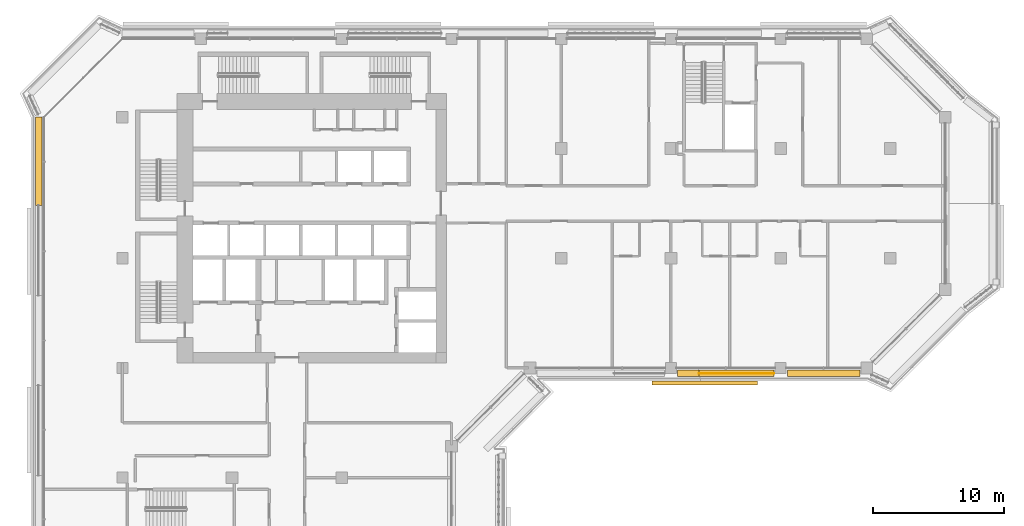
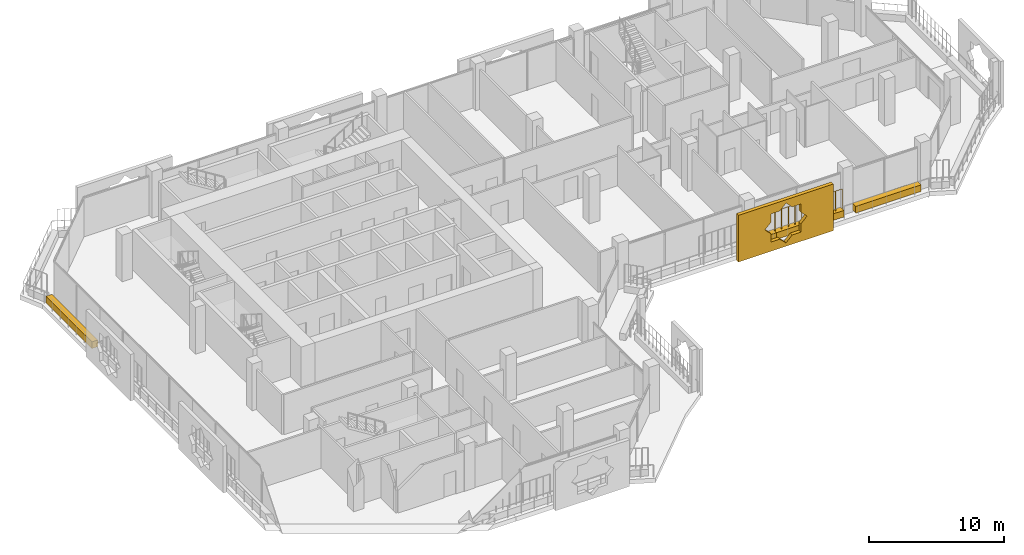
# One storey, part 19 of 22: 5 coverings, 1 railing.
"""IFC4 building model written with IfcOpenShell, lengths in metres."""

import ifcopenshell
import ifcopenshell.guid

model = None  # the IFC model being written
_history = None  # IfcOwnerHistory: only IFC2X3 demands one
_inside = {}  # id of a spatial element -> (the spatial element, [elements in it])
_under = {}  # id of a project, library or spatial element -> (it, [spatial elements below it])
_declared = {}  # id of a project -> (the project, [libraries it declares])
_typed = {}  # id of a type object -> (the type object, [elements of that type])
_made_of = {}  # id of a material, layer set ... -> (it, [elements and type objects made of it])


def new_model(schema):
    """Start an empty IFC model of exactly this schema.

    Asked for "IFC4X3", IfcOpenShell would pick the latest addendum, in which some entities
    have other attributes; the version numbers below select the first issue.
    IFC2X3 requires an IfcOwnerHistory on every rooted entity: one is made here for all.
    """
    global model, _history
    if schema == "IFC4X3":
        model = ifcopenshell.file(schema_version=(4, 3, 0, 0))
    else:
        model = ifcopenshell.file(schema=schema)
    _inside.clear()
    _under.clear()
    _declared.clear()
    _typed.clear()
    _made_of.clear()
    _history = None
    if model.schema == "IFC2X3":
        org = make("IfcOrganization", Name="unknown")
        user = make(
            "IfcPersonAndOrganization",
            ThePerson=make("IfcPerson", FamilyName="unknown"),
            TheOrganization=org,
        )
        app = make(
            "IfcApplication",
            ApplicationDeveloper=org,
            Version="unknown",
            ApplicationFullName="unknown",
            ApplicationIdentifier="unknown",
        )
        _history = make(
            "IfcOwnerHistory",
            OwningUser=user,
            OwningApplication=app,
            ChangeAction="ADDED",
            CreationDate=0,
        )
    return model


def make(cls, **values):
    """One entity of the class cls with the attributes given. An attribute that is None is left unset."""
    return model.create_entity(
        cls, **{name: value for name, value in values.items() if value is not None}
    )


def rooted(cls, **values):
    """An entity with a GlobalId (a new one), such as an element, a storey or a relation."""
    return make(cls, GlobalId=ifcopenshell.guid.new(), OwnerHistory=_history, **values)


def si_unit(unit_type, name, prefix=None):
    """IfcSIUnit, for example si_unit("LENGTHUNIT", "METRE", prefix="MILLI")."""
    return make("IfcSIUnit", UnitType=unit_type, Prefix=prefix, Name=name)


def assignment(units):
    """IfcUnitAssignment: the units of a project."""
    return None if units is None else make("IfcUnitAssignment", Units=units)


def point(xyz):
    """IfcCartesianPoint."""
    return None if xyz is None else make("IfcCartesianPoint", Coordinates=xyz)


def direction(xyz):
    """IfcDirection."""
    return None if xyz is None else make("IfcDirection", DirectionRatios=xyz)


def frame(location, z_axis=None, x_axis=None):
    """IfcAxis2Placement3D, a coordinate frame: its origin and axes. An axis left out is left unset."""
    return make(
        "IfcAxis2Placement3D",
        Location=point(location),
        Axis=direction(z_axis),
        RefDirection=direction(x_axis),
    )


def frame_2d(location, x_axis=None):
    """IfcAxis2Placement2D, a coordinate frame in the plane: its origin and x axis."""
    return make(
        "IfcAxis2Placement2D", Location=point(location), RefDirection=direction(x_axis)
    )


def origin():
    """The frame at (0, 0, 0) with its axes left unset."""
    return frame((0.0, 0.0, 0.0))


def origin_2d():
    """The frame at (0, 0) in the plane with its x axis left unset."""
    return frame_2d((0.0, 0.0))


def place(relative_to, where):
    """IfcLocalPlacement: puts the frame where relative to a parent placement (None: the world)."""
    return make(
        "IfcLocalPlacement", PlacementRelTo=relative_to, RelativePlacement=where
    )


def context(
    kind, dimensions, precision=None, world=None, true_north=None, identifier=None
):
    """IfcGeometricRepresentationContext, for example the 3D "Model" context."""
    return make(
        "IfcGeometricRepresentationContext",
        ContextIdentifier=identifier,
        ContextType=kind,
        CoordinateSpaceDimension=dimensions,
        Precision=precision,
        WorldCoordinateSystem=world,
        TrueNorth=true_north,
    )


def subcontext(parent, identifier, kind, view, scale=None):
    """IfcGeometricRepresentationSubContext, for example "Body" below "Model"."""
    return make(
        "IfcGeometricRepresentationSubContext",
        ContextIdentifier=identifier,
        ContextType=kind,
        ParentContext=parent,
        TargetScale=scale,
        TargetView=view,
    )


def project(units=None, contexts=None):
    """IfcProject with its units and contexts."""
    return rooted(
        "IfcProject",
        Name="project",
        RepresentationContexts=contexts,
        UnitsInContext=assignment(units),
    )


def spatial(cls, under=None, at=None, **own):
    """A site, building, storey or space (cls), placed at a placement, below another one or the project."""
    s = rooted(cls, ObjectPlacement=at, **own)
    if under is not None:
        _under.setdefault(under.id(), (under, []))[1].append(s)
    return s


def polyline(points):
    """IfcPolyline through the points."""
    return make("IfcPolyline", Points=[point(p) for p in points])


def profile(cls, at=None, kind="AREA", **sizes):
    """A parametric profile (cls). Its sizes go by their IFC names, for example OverallWidth=200.0."""
    return make(cls, ProfileType=kind, Position=at, **sizes)


def rectangle(**sizes):
    """IfcRectangleProfileDef."""
    return profile("IfcRectangleProfileDef", **sizes)


def circle(**sizes):
    """IfcCircleProfileDef."""
    return profile("IfcCircleProfileDef", **sizes)


def outline(outer, holes=None, kind="AREA"):
    """IfcArbitraryClosedProfileDef: a profile drawn as a closed curve; with holes, ...WithVoids."""
    if holes is None:
        return make("IfcArbitraryClosedProfileDef", ProfileType=kind, OuterCurve=outer)
    return make(
        "IfcArbitraryProfileDefWithVoids",
        ProfileType=kind,
        OuterCurve=outer,
        InnerCurves=holes,
    )


def extrude(swept, where, along, depth):
    """IfcExtrudedAreaSolid: the profile swept, set in the frame where, extruded along a direction by depth."""
    return make(
        "IfcExtrudedAreaSolid",
        SweptArea=swept,
        Position=where,
        ExtrudedDirection=direction(along),
        Depth=depth,
    )


def shape(context_of_items, identifier, shape_type, items):
    """IfcShapeRepresentation: the items that make up one representation, for example the "Body"."""
    return make(
        "IfcShapeRepresentation",
        ContextOfItems=context_of_items,
        RepresentationIdentifier=identifier,
        RepresentationType=shape_type,
        Items=items,
    )


def material(Name=None, Category=None):
    """IfcMaterial."""
    return make("IfcMaterial", Name=Name, Category=Category)


def material_profile(
    of_material, cross_section, Name=None, Category=None, Priority=None
):
    """IfcMaterialProfile: a cross section and its material."""
    return make(
        "IfcMaterialProfile",
        Name=Name,
        Material=of_material,
        Profile=cross_section,
        Priority=Priority,
        Category=Category,
    )


def profile_set(profiles, Name=None, composite=None):
    """IfcMaterialProfileSet."""
    return make(
        "IfcMaterialProfileSet",
        Name=Name,
        MaterialProfiles=profiles,
        CompositeProfile=composite,
    )


def made_of(thing, what):
    """Note that an element or type object is made of a material, layer set ...; save() writes the relation."""
    if what is not None:
        _made_of.setdefault(what.id(), (what, []))[1].append(thing)
    return thing


def type_object(cls, material=None, **own):
    """A type object (cls), such as IfcWallType, which elements share."""
    return made_of(rooted(cls, **own), material)


def element(
    cls,
    number,
    at=None,
    inside=None,
    cuts=None,
    type_object=None,
    material=None,
    context=None,
    identifier="Body",
    shape_type=None,
    held_by="IfcProductDefinitionShape",
    body=None,
    shapes=None,
    **own,
):
    """One element of the class cls, such as IfcWall. Its Tag is "e" and its number.

    at: its placement. inside: the storey or other place that contains it. cuts: it is an
    opening in that element (IfcRelVoidsElement). A single representation is given by context,
    identifier, shape_type and body (its items); several are given by shapes. held_by: the class
    of the entity that holds the representations. save() writes the other relations.
    """
    e = rooted(cls, Tag="e%d" % number, ObjectPlacement=at, **own)
    if body is not None:
        shapes = [shape(context, identifier, shape_type, body)]
    if shapes is not None:
        e.Representation = make(held_by, Representations=shapes)
    if inside is not None:
        _inside.setdefault(inside.id(), (inside, []))[1].append(e)
    if cuts is not None:
        rooted(
            "IfcRelVoidsElement", RelatingBuildingElement=cuts, RelatedOpeningElement=e
        )
    if type_object is not None:
        _typed.setdefault(type_object.id(), (type_object, []))[1].append(e)
    return made_of(e, material)


def aggregate(whole, parts):
    """IfcRelAggregates: a whole, such as a stair, and the parts it consists of."""
    return rooted("IfcRelAggregates", RelatingObject=whole, RelatedObjects=parts)


def save(model, path):
    """Write the relations noted so far, then the file.

    IfcRelAggregates (storeys below a building ...), IfcRelContainedInSpatialStructure (elements
    in a storey), IfcRelDefinesByType, IfcRelAssociatesMaterial and IfcRelDeclares: one each for
    every whole, place, type object, material and project.
    """
    for whole, parts in _under.values():
        aggregate(whole, parts)
    for where, things in _inside.values():
        rooted(
            "IfcRelContainedInSpatialStructure",
            RelatedElements=things,
            RelatingStructure=where,
        )
    for kind, things in _typed.values():
        rooted("IfcRelDefinesByType", RelatedObjects=things, RelatingType=kind)
    for what, things in _made_of.values():
        rooted("IfcRelAssociatesMaterial", RelatedObjects=things, RelatingMaterial=what)
    for by, libraries in _declared.values():
        rooted("IfcRelDeclares", RelatingContext=by, RelatedDefinitions=libraries)
    model.write(path)


model = new_model("IFC4")

# Units and contexts
model_context = context("Model", 3, precision=1e-05, world=origin(), true_north=direction((0.0, 1.0)))
body_context = subcontext(model_context, "Body", "Model", "MODEL_VIEW")
ifc_project = project(units=[si_unit("LENGTHUNIT", "METRE"), si_unit("AREAUNIT", "SQUARE_METRE"), si_unit("VOLUMEUNIT", "CUBIC_METRE"), si_unit("PLANEANGLEUNIT", "RADIAN"), si_unit("MASSUNIT", "GRAM", prefix="KILO")], contexts=[model_context])

# Site, building, storey
site_placement = place(None, origin())
site = spatial("IfcSite", under=ifc_project, at=site_placement, CompositionType="ELEMENT")
building_placement = place(site_placement, origin())
building = spatial("IfcBuilding", under=site, at=building_placement, Name="Kawkab Arch Medical Tower", CompositionType="ELEMENT")
storey_placement = place(building_placement, frame((0.0, 0.0, 255.800048828125)))
storey = spatial("IfcBuildingStorey", under=building, at=storey_placement, Name="L59", CompositionType="ELEMENT", Elevation=255.800048828125)

# Coverings
ifc_material_1 = material(Name="Bronze anodised aluminium mashrabiya panel, eight-point star pattern", Category="aluminium")
ifc_material_profile_1 = material_profile(ifc_material_1, outline(polyline([(-4.050048828125, -2.10009765625), (4.050048828125, -2.10009765625), (4.050048828125, 2.10009765625), (-4.050048828125, 2.10009765625), (-4.050048828125, -2.10009765625)]), holes=[polyline([(1.800048828125, 0.0), (1.272705078125, 0.527099609375), (1.272705078125, 1.272705078125), (0.527099609375, 1.272705078125), (0.0, 1.800048828125), (-0.527099609375, 1.272705078125), (-1.272705078125, 1.272705078125), (-1.272705078125, 0.527099609375), (-1.800048828125, 0.0), (-1.272705078125, -0.527099609375), (-1.272705078125, -1.272705078125), (-0.527099609375, -1.272705078125), (0.0, -1.800048828125), (0.527099609375, -1.272705078125), (1.272705078125, -1.272705078125), (1.272705078125, -0.527099609375), (1.800048828125, 0.0)])]), Name="Mashrabiya panel 8100x4200")
ifc_profile_set_1 = profile_set([ifc_material_profile_1], Name="Bronze anodised aluminium mashrabiya panel, eight-point star pattern")
covering_type_1 = type_object("IfcCoveringType", Name="Mashrabiya panel 8100 x 4200", PredefinedType="USERDEFINED", material=ifc_profile_set_1)
covering_1_placement = place(storey_placement, frame((44.59228515625, -26.199951171875, 1.699951171875), z_axis=(0.0, -1.0, 0.0), x_axis=(1.0, 0.0, 0.0)))
element("IfcCovering", 1, at=covering_1_placement, inside=storey, type_object=covering_type_1, Name="Mashrabiya panel L59.LOG-01-01.10", ObjectType="SCREEN", PredefinedType="USERDEFINED", context=body_context, shape_type="SweptSolid", body=[
    extrude(outline(polyline([(-4.050048828125, -2.10009765625), (4.050048828125, -2.10009765625), (4.050048828125, 2.10009765625), (-4.050048828125, 2.10009765625), (-4.050048828125, -2.10009765625)]), holes=[polyline([(1.800048828125, 0.0), (1.272705078125, 0.527099609375), (1.272705078125, 1.272705078125), (0.527099609375, 1.272705078125), (0.0, 1.800048828125), (-0.527099609375, 1.272705078125), (-1.272705078125, 1.272705078125), (-1.272705078125, 0.527099609375), (-1.800048828125, 0.0), (-1.272705078125, -0.527099609375), (-1.272705078125, -1.272705078125), (-0.527099609375, -1.272705078125), (0.0, -1.800048828125), (0.527099609375, -1.272705078125), (1.272705078125, -1.272705078125), (1.272705078125, -0.527099609375), (1.800048828125, 0.0)])]), origin(), (0.0, 0.0, 1.0), 0.300048828125),
])
ifc_material_2 = material(Name="Planting soil in a precast trough", Category="concrete")
ifc_material_profile_2 = material_profile(ifc_material_2, rectangle(XDim=0.5, YDim=0.60009765625, at=origin_2d()), Name="Trough 500x600")
ifc_profile_set_2 = profile_set([ifc_material_profile_2], Name="Planting soil in a precast trough")
covering_type_2 = type_object("IfcCoveringType", Name="Planter trough 500 x 600", PredefinedType="USERDEFINED", material=ifc_profile_set_2)
covering_2_placement = place(storey_placement, frame((-6.419921875, -12.763916015625, 0.300048828125), z_axis=(0.0, 1.0, 0.0), x_axis=(-1.0, 0.0, 0.0)))
element("IfcCovering", 2, at=covering_2_placement, inside=storey, type_object=covering_type_2, Name="Planter L59.LOG-01-01.12", ObjectType="PLANTER", PredefinedType="USERDEFINED", context=body_context, shape_type="SweptSolid", body=[
    extrude(rectangle(XDim=0.5, YDim=0.60009765625, at=origin_2d()), origin(), (0.0, 0.0, 1.0), 6.789794921875),
])
covering_3_placement = place(storey_placement, frame((56.469970703125, -25.6201171875, 0.300048828125), z_axis=(-1.0, 0.0, 0.0), x_axis=(0.0, -1.0, 0.0)))
element("IfcCovering", 3, at=covering_3_placement, inside=storey, type_object=covering_type_2, Name="Planter L59.LOG-01-01.32", ObjectType="PLANTER", PredefinedType="USERDEFINED", context=body_context, shape_type="SweptSolid", body=[
    extrude(rectangle(XDim=0.5, YDim=0.60009765625, at=origin_2d()), origin(), (0.0, 0.0, 1.0), 5.56494140625),
])
covering_4_placement = place(storey_placement, frame((49.89501953125, -25.6201171875, 0.300048828125), z_axis=(-1.0, 0.0, 0.0), x_axis=(0.0, -1.0, 0.0)))
element("IfcCovering", 4, at=covering_4_placement, inside=storey, type_object=covering_type_2, Name="Planter L59.LOG-01-01.33", ObjectType="PLANTER", PredefinedType="USERDEFINED", context=body_context, shape_type="SweptSolid", body=[
    extrude(rectangle(XDim=0.5, YDim=0.60009765625, at=origin_2d()), origin(), (0.0, 0.0, 1.0), 5.739990234375),
])
covering_5_placement = place(storey_placement, frame((44.155029296875, -25.6201171875, 0.300048828125), z_axis=(-1.0, 0.0, 0.0), x_axis=(0.0, -1.0, 0.0)))
element("IfcCovering", 5, at=covering_5_placement, inside=storey, type_object=covering_type_2, Name="Planter L59.LOG-01-01.34", ObjectType="PLANTER", PredefinedType="USERDEFINED", context=body_context, shape_type="SweptSolid", body=[
    extrude(rectangle(XDim=0.5, YDim=0.60009765625, at=origin_2d()), origin(), (0.0, 0.0, 1.0), 1.650146484375),
])

# Railing
ifc_material_3 = material(Name="Bronze anodised aluminium trellis for climbing plants", Category="aluminium")
railing_type = type_object("IfcRailingType", Name="Planting trellis 2400", PredefinedType="USERDEFINED", material=ifc_material_3)
railing_placement = place(storey_placement, frame((49.89501953125, -25.6201171875, 0.0)))
element("IfcRailing", 6, at=railing_placement, inside=storey, type_object=railing_type, Name="Planting trellis L59.LOG-01-01.33", ObjectType="TRELLIS", PredefinedType="USERDEFINED", context=body_context, shape_type="SweptSolid", body=[
    extrude(circle(Radius=0.01513671875, at=origin_2d()), frame((0.0, 0.0, 2.384765625), z_axis=(-1.0, 0.0, 0.0), x_axis=(0.0, -1.0, 0.0)), (0.0, 0.0, 1.0), 5.739990234375),
    extrude(circle(Radius=0.030029296875, at=origin_2d()), origin(), (0.0, 0.0, 1.0), 2.369873046875),
    extrude(circle(Radius=0.030029296875, at=origin_2d()), frame((-0.573974609375, 0.0, 0.0)), (0.0, 0.0, 1.0), 2.369873046875),
    extrude(circle(Radius=0.030029296875, at=origin_2d()), frame((-1.14794921875, 0.0, 0.0)), (0.0, 0.0, 1.0), 2.369873046875),
    extrude(circle(Radius=0.030029296875, at=origin_2d()), frame((-1.721923828125, 0.0, 0.0)), (0.0, 0.0, 1.0), 2.369873046875),
    extrude(circle(Radius=0.030029296875, at=origin_2d()), frame((-2.2958984375, 0.0, 0.0)), (0.0, 0.0, 1.0), 2.369873046875),
    extrude(circle(Radius=0.030029296875, at=origin_2d()), frame((-2.8701171875, 0.0, 0.0)), (0.0, 0.0, 1.0), 2.369873046875),
    extrude(circle(Radius=0.030029296875, at=origin_2d()), frame((-3.444091796875, 0.0, 0.0)), (0.0, 0.0, 1.0), 2.369873046875),
    extrude(circle(Radius=0.030029296875, at=origin_2d()), frame((-4.01806640625, 0.0, 0.0)), (0.0, 0.0, 1.0), 2.369873046875),
    extrude(circle(Radius=0.030029296875, at=origin_2d()), frame((-4.592041015625, 0.0, 0.0)), (0.0, 0.0, 1.0), 2.369873046875),
    extrude(circle(Radius=0.030029296875, at=origin_2d()), frame((-5.166015625, 0.0, 0.0)), (0.0, 0.0, 1.0), 2.369873046875),
    extrude(circle(Radius=0.030029296875, at=origin_2d()), frame((-5.739990234375, 0.0, 0.0)), (0.0, 0.0, 1.0), 2.369873046875),
])

save(model, "model.ifc")
